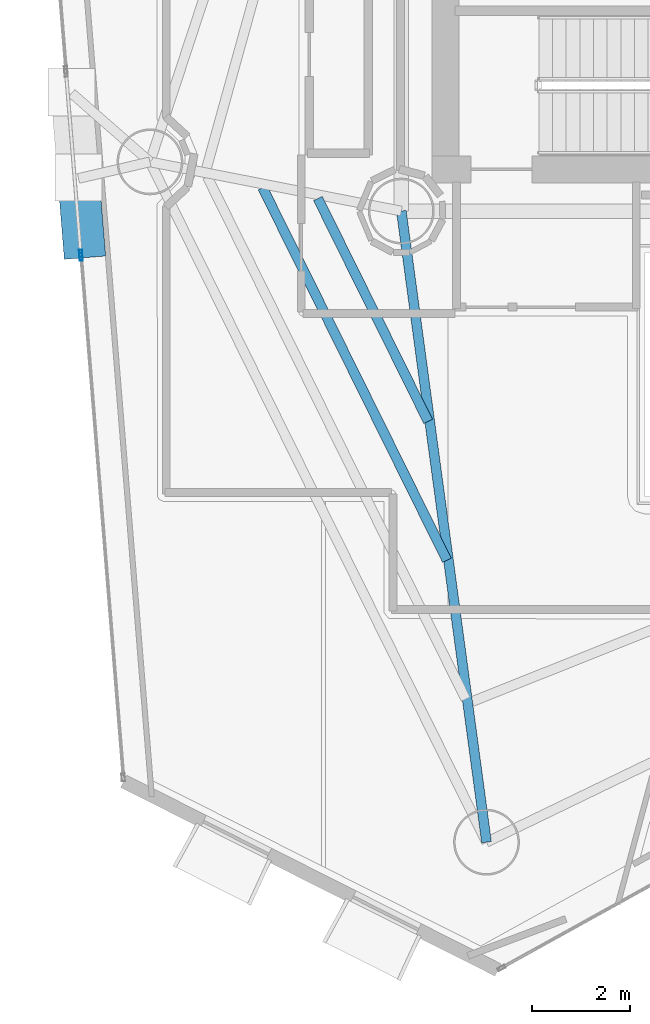
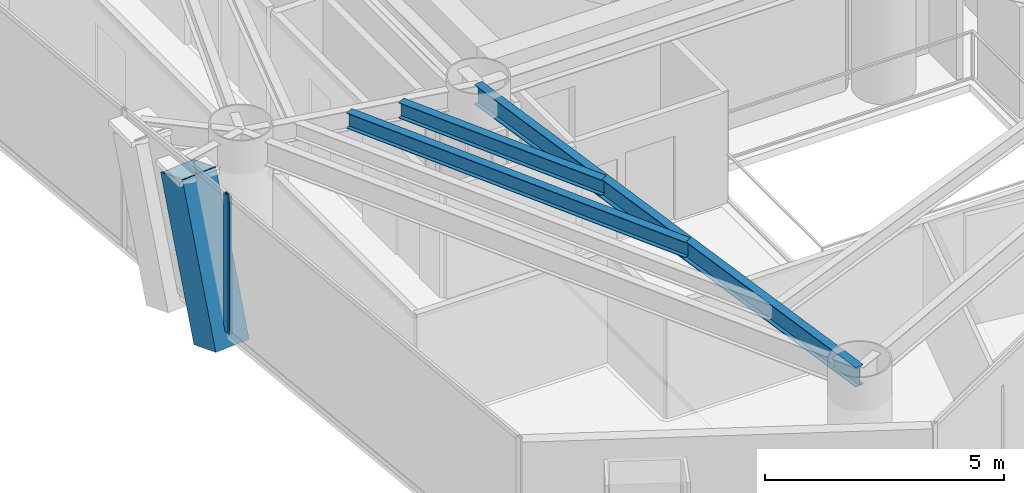
# One storey, part 4 of 21: 3 beams, 3 members, 2 elements without a shape of their own.
"""IFC4 building model written with IfcOpenShell, lengths in metres."""

from ifc_helpers import new_model, si_unit, direction, frame, origin, origin_2d, place, context, subcontext, project, spatial, hollow_rectangle, i_section, extrude, material, layer, layer_set, material_profile, profile_set, type_object, element, aggregate, save


model = new_model("IFC4")

# Units and contexts
model_context = context("Model", 3, precision=1e-05, world=origin(), true_north=direction((0.0, 1.0)))
body_context = subcontext(model_context, "Body", "Model", "MODEL_VIEW")
ifc_project = project(units=[si_unit("LENGTHUNIT", "METRE"), si_unit("AREAUNIT", "SQUARE_METRE"), si_unit("VOLUMEUNIT", "CUBIC_METRE"), si_unit("PLANEANGLEUNIT", "RADIAN"), si_unit("MASSUNIT", "GRAM", prefix="KILO")], contexts=[model_context])

# Site, building, storey
site_placement = place(None, origin())
site = spatial("IfcSite", under=ifc_project, at=site_placement, CompositionType="ELEMENT")
building_placement = place(site_placement, origin())
building = spatial("IfcBuilding", under=site, at=building_placement, Name="Qianvela Tower", CompositionType="ELEMENT")
storey_placement = place(building_placement, frame((0.0, 0.0, 166.10009765625)))
storey = spatial("IfcBuildingStorey", under=building, at=storey_placement, Name="L42", CompositionType="ELEMENT", Elevation=166.10009765625)

# Beams
ifc_material_1 = material(Name="Steel Q355B", Category="steel")
ifc_material_profile_1 = material_profile(ifc_material_1, i_section(OverallWidth=0.199951171875, OverallDepth=0.39990234375, WebThickness=0.008056640625, FlangeThickness=0.012939453125, at=origin_2d()), Name="HN400x200x8x13")
ifc_profile_set_1 = profile_set([ifc_material_profile_1], Name="Steel Q355B")
beam_type_1 = type_object("IfcBeamType", Name="BM-HN400-JOIST", PredefinedType="JOIST", material=ifc_profile_set_1)
beam_1_placement = place(storey_placement, frame((26.89013671875, 24.10693359375, 3.31787109375), z_axis=(0.443417880161, -0.896315002415, 0.0), x_axis=(0.896315002415, 0.443417880161, 0.0)))
element("IfcBeam", 1, at=beam_1_placement, inside=storey, type_object=beam_type_1, Name="L42 Secondary Composite Floor Joist 4.1", PredefinedType="JOIST", context=body_context, shape_type="SweptSolid", body=[
    extrude(i_section(OverallWidth=0.199951171875, OverallDepth=0.39990234375, WebThickness=0.008056640625, FlangeThickness=0.012939453125, at=origin_2d()), origin(), (0.0, 0.0, 1.0), 5.099609375),
])
beam_2_placement = place(storey_placement, frame((25.75634765625, 24.3291015625, 3.31787109375), z_axis=(0.443417285282, -0.896315296708, 0.0), x_axis=(0.896315296708, 0.443417285282, 0.0)))
element("IfcBeam", 2, at=beam_2_placement, inside=storey, type_object=beam_type_1, Name="L42 Secondary Composite Floor Joist 4.2", PredefinedType="JOIST", context=body_context, shape_type="SweptSolid", body=[
    extrude(i_section(OverallWidth=0.199951171875, OverallDepth=0.39990234375, WebThickness=0.008056640625, FlangeThickness=0.012939453125, at=origin_2d()), origin(), (0.0, 0.0, 1.0), 8.523681640625),
])
ifc_material_2 = material(Name="Steel Q355B", Category="steel")
ifc_material_profile_2 = material_profile(ifc_material_2, i_section(OverallWidth=0.199951171875, OverallDepth=0.5, WebThickness=0.010009765625, FlangeThickness=0.01611328125, at=origin_2d()), Name="HN500x200x10x16")
ifc_profile_set_2 = profile_set([ifc_material_profile_2], Name="Steel Q355B")
beam_type_2 = type_object("IfcBeamType", Name="BM-HN500-GIRD", PredefinedType="BEAM", material=ifc_profile_set_2)
beam_3_placement = place(storey_placement, frame((28.60009765625, 23.85009765625, 3.267822265625), z_axis=(0.133769024854, -0.991012536747, 0.0), x_axis=(0.991012536747, 0.133769024854, 0.0)))
element("IfcBeam", 3, at=beam_3_placement, inside=storey, type_object=beam_type_2, Name="L42 Radial Primary Floor Girder 5", PredefinedType="BEAM", context=body_context, shape_type="SweptSolid", body=[
    extrude(i_section(OverallWidth=0.199951171875, OverallDepth=0.5, WebThickness=0.010009765625, FlangeThickness=0.01611328125, at=origin_2d()), origin(), (0.0, 0.0, 1.0), 13.05859375),
])

# Curtain wall, member
ifc_material_3 = material(Name="Anodised Architectural Aluminium and Insulated Spandrel Panel", Category="aluminium")
ifc_layer_1 = layer(ifc_material_3, 0.179931640625)
ifc_layer_set_1 = layer_set([ifc_layer_1], Name="Anodised Architectural Aluminium and Insulated Spandrel Panel")
curtain_wall_type_1 = type_object("IfcCurtainWallType", Name="CW-BRACEBAY", PredefinedType="USERDEFINED", material=ifc_layer_set_1)
curtain_wall_1_placement = place(storey_placement, origin())
curtain_wall_1 = element("IfcCurtainWall", 4, at=curtain_wall_1_placement, inside=storey, type_object=curtain_wall_type_1, Name="L42 CW-BRACEBAY Curtain Wall 04B", ObjectType="CURTAIN_WALL_SYSTEM", PredefinedType="USERDEFINED")
ifc_material_4 = material(Name="Anodised Architectural Aluminium 6063-T6", Category="aluminium")
ifc_material_profile_3 = material_profile(ifc_material_4, hollow_rectangle(XDim=0.06494140625, YDim=0.159912109375, WallThickness=0.0048828125, at=origin_2d()), Name="ALU-MULL-65x160")
ifc_profile_set_3 = profile_set([ifc_material_profile_3], Name="Anodised Architectural Aluminium 6063-T6")
member_type_1 = type_object("IfcMemberType", Name="CW-BRACEBAY-MULL", PredefinedType="MULLION", material=ifc_profile_set_3)
member_1_placement = place(storey_placement, frame((22.026611328125, 22.977783203125, 0.0), z_axis=(0.0, 0.0, 1.0), x_axis=(0.996722248433, 0.080899687757, 0.0)))
member_1 = element("IfcMember", 5, at=member_1_placement, type_object=member_type_1, Name="CW-9 mullion 2", PredefinedType="MULLION", context=body_context, shape_type="SweptSolid", body=[
    extrude(hollow_rectangle(XDim=0.06494140625, YDim=0.159912109375, WallThickness=0.0048828125, at=origin_2d()), origin(), (0.0, 0.0, 1.0), 3.52001953125),
])
aggregate(curtain_wall_1, [member_1])

ifc_material_5 = material(Name="Anodised Architectural Aluminium and Low-E Glass", Category="aluminium")
ifc_layer_2 = layer(ifc_material_5, 0.169921875)
ifc_layer_set_2 = layer_set([ifc_layer_2], Name="Anodised Architectural Aluminium and Low-E Glass")
curtain_wall_type_2 = type_object("IfcCurtainWallType", Name="CW-COLIV-Z34", PredefinedType="USERDEFINED", material=ifc_layer_set_2)
curtain_wall_2_placement = place(storey_placement, origin())
curtain_wall_2 = element("IfcCurtainWall", 6, at=curtain_wall_2_placement, inside=storey, type_object=curtain_wall_type_2, Name="L42 CW-COLIV-Z34 Curtain Wall 04C", ObjectType="CURTAIN_WALL_SYSTEM", PredefinedType="USERDEFINED")
ifc_material_6 = material(Name="Anodised Architectural Aluminium 6063-T6", Category="aluminium")
ifc_material_profile_4 = material_profile(ifc_material_6, hollow_rectangle(XDim=0.06494140625, YDim=0.159912109375, WallThickness=0.0048828125, at=origin_2d()), Name="ALU-MULL-65x160")
ifc_profile_set_4 = profile_set([ifc_material_profile_4], Name="Anodised Architectural Aluminium 6063-T6")
member_type_2 = type_object("IfcMemberType", Name="CW-COLIV-Z34-MULL", PredefinedType="MULLION", material=ifc_profile_set_4)
member_2_placement = place(storey_placement, frame((22.031982421875, 22.9130859375, 0.0), z_axis=(0.0, 0.0, 1.0), x_axis=(0.996722295553, 0.080899107215, 0.0)))
member_2 = element("IfcMember", 7, at=member_2_placement, type_object=member_type_2, Name="CW-4 mullion 1", PredefinedType="MULLION", context=body_context, shape_type="SweptSolid", body=[
    extrude(hollow_rectangle(XDim=0.06494140625, YDim=0.159912109375, WallThickness=0.0048828125, at=origin_2d()), origin(), (0.0, 0.0, 1.0), 3.52001953125),
])
aggregate(curtain_wall_2, [member_2])

# Member
ifc_material_7 = material(Name="Steel Q420GJC", Category="steel")
ifc_material_profile_5 = material_profile(ifc_material_7, hollow_rectangle(XDim=0.85009765625, YDim=0.85009765625, WallThickness=0.031982421875, at=origin_2d()), Name="MBOX-850x850x32")
ifc_profile_set_5 = profile_set([ifc_material_profile_5], Name="Steel Q420GJC")
member_type_3 = type_object("IfcMemberType", Name="MBR-MBRACE-850", PredefinedType="BRACE", material=ifc_profile_set_5)
member_3_placement = place(storey_placement, frame((22.0810546875, 23.296875, -0.482177734375), z_axis=(-0.025490325986, 0.313587376441, 0.949217151456), x_axis=(-0.996712559151, -0.081018975749, 0.0)))
element("IfcMember", 8, at=member_3_placement, inside=storey, type_object=member_type_3, Name="L42 Tier 7 Exterior Mega-Brace F2B", PredefinedType="BRACE", context=body_context, shape_type="SweptSolid", body=[
    extrude(hollow_rectangle(XDim=0.85009765625, YDim=0.85009765625, WallThickness=0.031982421875, at=origin_2d()), origin(), (0.0, 0.0, 1.0), 3.898193359375),
])

save(model, "model.ifc")
